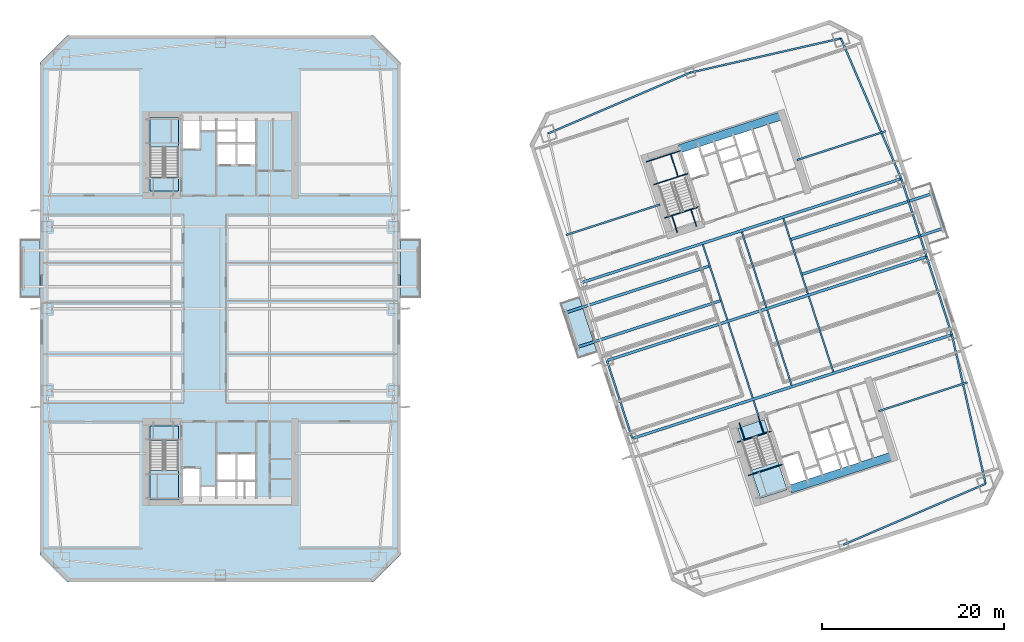
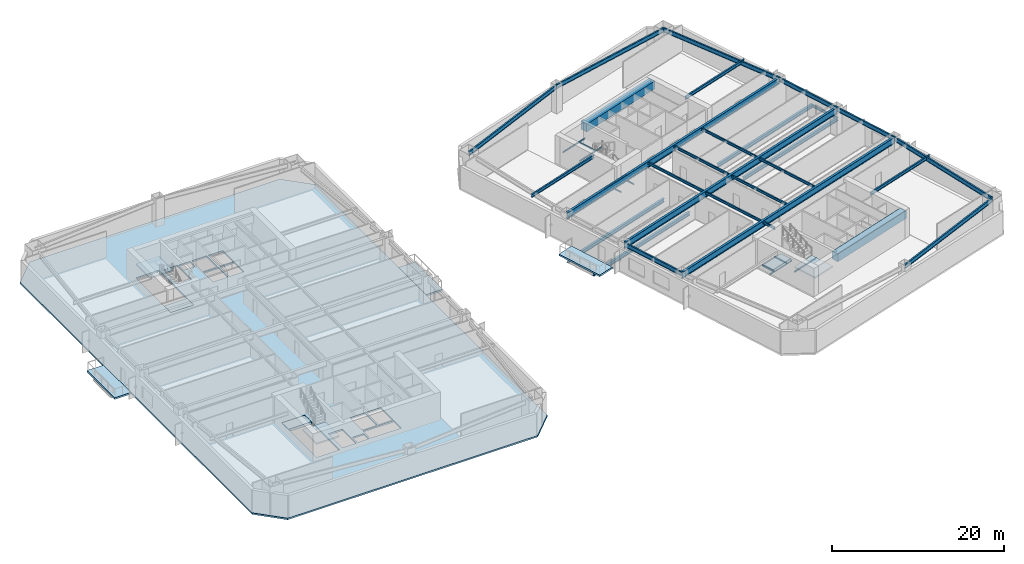
# One storey, part 2 of 21: 38 beams, 10 slabs, 3 elements without a shape of their own.
"""IFC4 building model written with IfcOpenShell, lengths in metres."""

from ifc_helpers import new_model, si_unit, direction, frame, origin, origin_2d, place, context, subcontext, project, spatial, polyline, rectangle, i_section, outline, extrude, material, layer, layer_set, material_profile, profile_set, type_object, element, aggregate, save


model = new_model("IFC4")

# Units and contexts
model_context = context("Model", 3, precision=1e-05, world=origin(), true_north=direction((0.0, 1.0)))
body_context = subcontext(model_context, "Body", "Model", "MODEL_VIEW")
ifc_project = project(units=[si_unit("LENGTHUNIT", "METRE"), si_unit("AREAUNIT", "SQUARE_METRE"), si_unit("VOLUMEUNIT", "CUBIC_METRE"), si_unit("PLANEANGLEUNIT", "RADIAN"), si_unit("MASSUNIT", "GRAM", prefix="KILO")], contexts=[model_context])

# Site, building, storey
site_placement = place(None, origin())
site = spatial("IfcSite", under=ifc_project, at=site_placement, CompositionType="ELEMENT")
building_placement = place(site_placement, origin())
building = spatial("IfcBuilding", under=site, at=building_placement, Name="Qiaolan Cultural Towers", CompositionType="ELEMENT")
storey_placement = place(building_placement, frame((0.0, 0.0, 34.0)))
storey = spatial("IfcBuildingStorey", under=building, at=storey_placement, Name="L07", CompositionType="ELEMENT", Elevation=34.0)

# Beams
ifc_material_1 = material(Name="Steel Q355B", Category="steel")
ifc_material_profile_1 = material_profile(ifc_material_1, i_section(OverallWidth=0.300048828125, OverallDepth=0.488037109375, WebThickness=0.010986328125, FlangeThickness=0.01806640625, at=origin_2d()), Name="HM488x300x11x18")
ifc_profile_set_1 = profile_set([ifc_material_profile_1], Name="Steel Q355B")
beam_type_1 = type_object("IfcBeamType", Name="BM-HM488x300x11x18", PredefinedType="BEAM", material=ifc_profile_set_1)
for number, where, z_axis, x_axis, name in (
    (1, (84.978515625, 34.891845703125, -0.52392578125), (-0.951056559899, -0.309016860175, 0.0), (0.309016860175, -0.951056559899, 0.0), "L07 T2 Tree Balcony Back-Spanned Bracket Beam"),
    (2, (83.742431640625, 38.6962890625, -0.52392578125), (-0.951056559899, -0.309016860175, 0.0), (0.309016860175, -0.951056559899, 0.0), "L07 T2 Tree Balcony Back-Spanned Bracket Beam"),
):
    element("IfcBeam", number, at=place(storey_placement, frame(where, z_axis=z_axis, x_axis=x_axis)), inside=storey, type_object=beam_type_1, Name=name, PredefinedType="BEAM", context=body_context, shape_type="SweptSolid", body=[
        extrude(i_section(OverallWidth=0.300048828125, OverallDepth=0.488037109375, WebThickness=0.010986328125, FlangeThickness=0.01806640625, at=origin_2d()), origin(), (0.0, 0.0, 1.0), 16.75),
    ])
for number, where, z_axis, x_axis, name in (
    (3, (93.823486328125, 37.765869140625, -0.52392578125), (0.951057297292, 0.309014590704, 0.0), (-0.309014590704, 0.951057297292, 0.0), "L07 T2 Tree Balcony Back-Spanned Bracket Beam"),
    (4, (92.58740234375, 41.570068359375, -0.52392578125), (0.951057297292, 0.309014590704, 0.0), (-0.309014590704, 0.951057297292, 0.0), "L07 T2 Tree Balcony Back-Spanned Bracket Beam"),
):
    element("IfcBeam", number, at=place(storey_placement, frame(where, z_axis=z_axis, x_axis=x_axis)), inside=storey, type_object=beam_type_1, Name=name, PredefinedType="BEAM", context=body_context, shape_type="SweptSolid", body=[
        extrude(i_section(OverallWidth=0.300048828125, OverallDepth=0.488037109375, WebThickness=0.010986328125, FlangeThickness=0.01806640625, at=origin_2d()), origin(), (0.0, 0.0, 1.0), 16.449951171875),
    ])
ifc_material_2 = material(Name="Steel Q355B", Category="steel")
ifc_material_profile_2 = material_profile(ifc_material_2, i_section(OverallWidth=0.300048828125, OverallDepth=0.89990234375, WebThickness=0.01611328125, FlangeThickness=0.028076171875, at=origin_2d()), Name="HN900x300x16x28")
ifc_profile_set_2 = profile_set([ifc_material_profile_2], Name="Steel Q355B")
beam_type_2 = type_object("IfcBeamType", Name="BM-HN900x300x16x28", PredefinedType="BEAM", material=ifc_profile_set_2)
beam_1_placement = place(storey_placement, frame((75.234130859375, 19.739013671875, 3.2900390625), z_axis=(0.951055702987, 0.309019497469, 0.0), x_axis=(-0.309019497469, 0.951055702987, 0.0)))
element("IfcBeam", 5, at=beam_1_placement, inside=storey, type_object=beam_type_2, Name="L07 T2 Primary Transverse Girder V1", PredefinedType="BEAM", context=body_context, shape_type="SweptSolid", body=[
    extrude(i_section(OverallWidth=0.300048828125, OverallDepth=0.89990234375, WebThickness=0.01611328125, FlangeThickness=0.028076171875, at=origin_2d()), origin(), (0.0, 0.0, 1.0), 36.900146484375),
])
beam_2_placement = place(storey_placement, frame((72.453125, 28.298583984375, 3.2900390625), z_axis=(0.951055071173, 0.309021441968, 0.0), x_axis=(-0.309021441968, 0.951055071173, 0.0)))
element("IfcBeam", 6, at=beam_2_placement, inside=storey, type_object=beam_type_2, Name="L07 T2 Primary Transverse Girder V2", PredefinedType="BEAM", context=body_context, shape_type="SweptSolid", body=[
    extrude(i_section(OverallWidth=0.300048828125, OverallDepth=0.89990234375, WebThickness=0.01611328125, FlangeThickness=0.028076171875, at=origin_2d()), origin(), (0.0, 0.0, 1.0), 36.89990234375),
])
beam_3_placement = place(storey_placement, frame((69.671875, 36.858154296875, 3.2900390625), z_axis=(0.951055702987, 0.309019497469, 0.0), x_axis=(-0.309019497469, 0.951055702987, 0.0)))
element("IfcBeam", 7, at=beam_3_placement, inside=storey, type_object=beam_type_2, Name="L07 T2 Primary Transverse Girder V3", PredefinedType="BEAM", context=body_context, shape_type="SweptSolid", body=[
    extrude(i_section(OverallWidth=0.300048828125, OverallDepth=0.89990234375, WebThickness=0.01611328125, FlangeThickness=0.028076171875, at=origin_2d()), origin(), (0.0, 0.0, 1.0), 36.900146484375),
])
ifc_material_3 = material(Name="Steel Q355B", Category="steel")
ifc_material_profile_3 = material_profile(ifc_material_3, i_section(OverallWidth=0.175048828125, OverallDepth=0.35009765625, WebThickness=0.007080078125, FlangeThickness=0.010986328125, at=origin_2d()), Name="HN350x175x7x11")
ifc_profile_set_3 = profile_set([ifc_material_profile_3], Name="Steel Q355B")
beam_type_3 = type_object("IfcBeamType", Name="BM-JST-HN350x175x7x11", PredefinedType="JOIST", material=ifc_profile_set_3)
beam_4_placement = place(storey_placement, frame((109.46826171875, 42.84912109375, -0.52392578125), z_axis=(-0.309022586479, 0.951054699292, 0.0), x_axis=(-0.951054699292, -0.309022586479, 0.0)))
element("IfcBeam", 8, at=beam_4_placement, inside=storey, type_object=beam_type_3, Name="L07 T2 Tree Balcony Outer Edge Beam", PredefinedType="JOIST", context=body_context, shape_type="SweptSolid", body=[
    extrude(i_section(OverallWidth=0.175048828125, OverallDepth=0.35009765625, WebThickness=0.007080078125, FlangeThickness=0.010986328125, at=origin_2d()), origin(), (0.0, 0.0, 1.0), 4.0),
])
beam_5_placement = place(storey_placement, frame((89.119384765625, 22.147705078125, 3.56494140625), z_axis=(-0.308933885266, 0.951083516067, 0.0), x_axis=(-0.951083516067, -0.308933885266, 0.0)))
element("IfcBeam", 9, at=beam_5_placement, inside=storey, type_object=beam_type_3, Name="L07 T2 Secondary Floor Joist U1-1", PredefinedType="JOIST", context=body_context, shape_type="SweptSolid", body=[
    extrude(i_section(OverallWidth=0.175048828125, OverallDepth=0.35009765625, WebThickness=0.007080078125, FlangeThickness=0.010986328125, at=origin_2d()), origin(), (0.0, 0.0, 1.0), 1.85009765625),
])
for number, where, z_axis, x_axis, name in (
    (10, (88.455078125, 24.192626953125, 3.56494140625), (-0.309020714809, 0.951055307445, 0.0), (-0.951055307445, -0.309020714809, 0.0), "L07 T2 Secondary Floor Joist U1-2"),
    (11, (85.673828125, 32.752197265625, 3.56494140625), (-0.309020714809, 0.951055307445, 0.0), (-0.951055307445, -0.309020714809, 0.0), "L07 T2 Secondary Floor Joist U1-3"),
    (12, (92.73486328125, 25.583251953125, 3.56494140625), (-0.309020714809, 0.951055307445, 0.0), (-0.951055307445, -0.309020714809, 0.0), "L07 T2 Secondary Floor Joist U2-2"),
    (13, (89.95361328125, 34.142578125, 3.56494140625), (-0.309020714809, 0.951055307445, 0.0), (-0.951055307445, -0.309020714809, 0.0), "L07 T2 Secondary Floor Joist U2-3"),
    (14, (97.2998046875, 27.06640625, 3.56494140625), (-0.309020714809, 0.951055307445, 0.0), (-0.951055307445, -0.309020714809, 0.0), "L07 T2 Secondary Floor Joist U3-2"),
    (15, (94.518798828125, 35.6259765625, 3.56494140625), (-0.309020714809, 0.951055307445, 0.0), (-0.951055307445, -0.309020714809, 0.0), "L07 T2 Secondary Floor Joist U3-3"),
):
    element("IfcBeam", number, at=place(storey_placement, frame(where, z_axis=z_axis, x_axis=x_axis)), inside=storey, type_object=beam_type_3, Name=name, PredefinedType="JOIST", context=body_context, shape_type="SweptSolid", body=[
        extrude(i_section(OverallWidth=0.175048828125, OverallDepth=0.35009765625, WebThickness=0.007080078125, FlangeThickness=0.010986328125, at=origin_2d()), origin(), (0.0, 0.0, 1.0), 8.699951171875),
    ])
ifc_material_4 = material(Name="Steel Q355B", Category="steel")
ifc_material_profile_4 = material_profile(ifc_material_4, i_section(OverallWidth=0.199951171875, OverallDepth=0.449951171875, WebThickness=0.009033203125, FlangeThickness=0.013916015625, at=origin_2d()), Name="HN450x200x9x14")
ifc_profile_set_4 = profile_set([ifc_material_profile_4], Name="Steel Q355B")
beam_type_4 = type_object("IfcBeamType", Name="BM-LNT-HN450x200x9x14", PredefinedType="LINTEL", material=ifc_profile_set_4)
beam_6_placement = place(storey_placement, frame((78.291259765625, 45.44189453125, 3.514892578125), z_axis=(-0.951052421511, -0.309029596542, 0.0), x_axis=(0.309029596542, -0.951052421511, 0.0)))
element("IfcBeam", 16, at=beam_6_placement, inside=storey, type_object=beam_type_4, Name="L07 T2 Core Flank Tie Lintel WN", PredefinedType="LINTEL", context=body_context, shape_type="SweptSolid", body=[
    extrude(i_section(OverallWidth=0.199951171875, OverallDepth=0.449951171875, WebThickness=0.009033203125, FlangeThickness=0.013916015625, at=origin_2d()), origin(), (0.0, 0.0, 1.0), 10.85009765625),
])
beam_7_placement = place(storey_placement, frame((102.279296875, 22.74365234375, 3.514892578125), z_axis=(0.951056820587, 0.309016057859, 0.0), x_axis=(-0.309016057859, 0.951056820587, 0.0)))
element("IfcBeam", 17, at=beam_7_placement, inside=storey, type_object=beam_type_4, Name="L07 T2 Core Flank Tie Lintel ES", PredefinedType="LINTEL", context=body_context, shape_type="SweptSolid", body=[
    extrude(i_section(OverallWidth=0.199951171875, OverallDepth=0.449951171875, WebThickness=0.009033203125, FlangeThickness=0.013916015625, at=origin_2d()), origin(), (0.0, 0.0, 1.0), 10.250244140625),
])
beam_8_placement = place(storey_placement, frame((93.31787109375, 50.32421875, 3.514892578125), z_axis=(0.951054546097, 0.309023057955, 0.0), x_axis=(-0.309023057955, 0.951054546097, 0.0)))
element("IfcBeam", 18, at=beam_8_placement, inside=storey, type_object=beam_type_4, Name="L07 T2 Core Flank Tie Lintel EN", PredefinedType="LINTEL", context=body_context, shape_type="SweptSolid", body=[
    extrude(i_section(OverallWidth=0.199951171875, OverallDepth=0.449951171875, WebThickness=0.009033203125, FlangeThickness=0.013916015625, at=origin_2d()), origin(), (0.0, 0.0, 1.0), 10.25),
])
ifc_material_5 = material(Name="Concrete C50", Category="concrete")
ifc_material_profile_5 = material_profile(ifc_material_5, rectangle(XDim=0.89990234375, YDim=1.10009765625, at=origin_2d()), Name="RC900x1100")
ifc_profile_set_5 = profile_set([ifc_material_profile_5], Name="Concrete C50")
beam_type_5 = type_object("IfcBeamType", Name="BM-RC900x1100", PredefinedType="BEAM", material=ifc_profile_set_5)
for number, where, z_axis, x_axis, name in (
    (19, (92.572265625, 14.174560546875, 3.18994140625), (0.951056266386, 0.309017763514, 0.0), (-0.309017763514, 0.951056266386, 0.0), "L07 T2 Core Header Girder S"),
    (20, (80.427978515625, 51.551025390625, 3.18994140625), (0.951056266386, 0.309017763514, 0.0), (-0.309017763514, 0.951056266386, 0.0), "L07 T2 Core Header Girder N"),
):
    element("IfcBeam", number, at=place(storey_placement, frame(where, z_axis=z_axis, x_axis=x_axis)), inside=storey, type_object=beam_type_5, Name=name, PredefinedType="BEAM", context=body_context, shape_type="SweptSolid", body=[
        extrude(rectangle(XDim=0.89990234375, YDim=1.10009765625, at=origin_2d()), origin(), (0.0, 0.0, 1.0), 11.880126953125),
    ])
ifc_material_6 = material(Name="Steel Q355B", Category="steel")
ifc_material_profile_6 = material_profile(ifc_material_6, i_section(OverallWidth=0.199951171875, OverallDepth=0.60009765625, WebThickness=0.010986328125, FlangeThickness=0.01708984375, at=origin_2d()), Name="HN600x200x11x17")
ifc_profile_set_6 = profile_set([ifc_material_profile_6], Name="Steel Q355B")
beam_type_6 = type_object("IfcBeamType", Name="BM-SPD-HN600x200x11x17", PredefinedType="SPANDREL", material=ifc_profile_set_6)
beam_9_placement = place(storey_placement, frame((98.420654296875, 8.083740234375, 3.43994140625), z_axis=(0.919108584923, 0.394004326272, 0.0), x_axis=(-0.394004326272, 0.919108584923, 0.0)))
element("IfcBeam", 21, at=beam_9_placement, inside=storey, type_object=beam_type_6, Name="L07 T2 Perimeter Spandrel Beam 2", PredefinedType="SPANDREL", context=body_context, shape_type="SweptSolid", body=[
    extrude(i_section(OverallWidth=0.199951171875, OverallDepth=0.60009765625, WebThickness=0.010986328125, FlangeThickness=0.01708984375, at=origin_2d()), origin(), (0.0, 0.0, 1.0), 16.97998046875),
])
beam_10_placement = place(storey_placement, frame((114.027099609375, 14.77392578125, 3.43994140625), z_axis=(-0.220430557386, 0.975402670373, 0.0), x_axis=(-0.975402670373, -0.220430557386, 0.0)))
element("IfcBeam", 22, at=beam_10_placement, inside=storey, type_object=beam_type_6, Name="L07 T2 Perimeter Spandrel Beam 3", PredefinedType="SPANDREL", context=body_context, shape_type="SweptSolid", body=[
    extrude(i_section(OverallWidth=0.199951171875, OverallDepth=0.60009765625, WebThickness=0.010986328125, FlangeThickness=0.01708984375, at=origin_2d()), origin(), (0.0, 0.0, 1.0), 16.78076171875),
])
for number, where, z_axis, x_axis, name in (
    (23, (110.328125, 31.141845703125, 3.43994140625), (-0.309024734286, 0.951054001411, 0.0), (-0.951054001411, -0.309024734286, 0.0), "L07 T2 Perimeter Spandrel Beam 4"),
    (24, (107.546875, 39.701416015625, 3.43994140625), (-0.309000197986, 0.951061973609, 0.0), (-0.951061973609, -0.309000197986, 0.0), "L07 T2 Perimeter Spandrel Beam 5"),
):
    element("IfcBeam", number, at=place(storey_placement, frame(where, z_axis=z_axis, x_axis=x_axis)), inside=storey, type_object=beam_type_6, Name=name, PredefinedType="SPANDREL", context=body_context, shape_type="SweptSolid", body=[
        extrude(i_section(OverallWidth=0.199951171875, OverallDepth=0.60009765625, WebThickness=0.010986328125, FlangeThickness=0.01708984375, at=origin_2d()), origin(), (0.0, 0.0, 1.0), 9.0),
    ])
beam_11_placement = place(storey_placement, frame((104.765869140625, 48.260986328125, 3.43994140625), z_axis=(-0.394998896054, 0.918681594524, 0.0), x_axis=(-0.918681594524, -0.394998896054, 0.0)))
element("IfcBeam", 25, at=beam_11_placement, inside=storey, type_object=beam_type_6, Name="L07 T2 Perimeter Spandrel Beam 6", PredefinedType="SPANDREL", context=body_context, shape_type="SweptSolid", body=[
    extrude(i_section(OverallWidth=0.199951171875, OverallDepth=0.60009765625, WebThickness=0.010986328125, FlangeThickness=0.01708984375, at=origin_2d()), origin(), (0.0, 0.0, 1.0), 16.78076171875),
])
for number, where, z_axis, x_axis, name in (
    (26, (98.137451171875, 63.67724609375, 3.43994140625), (-0.975161095889, -0.221496810506, 0.0), (0.221496810506, -0.975161095889, 0.0), "L07 T2 Perimeter Spandrel Beam 7"),
    (27, (81.579345703125, 59.916259765625, 3.43994140625), (-0.919108584923, -0.394004326272, 0.0), (0.394004326272, -0.919108584923, 0.0), "L07 T2 Perimeter Spandrel Beam 8"),
):
    element("IfcBeam", number, at=place(storey_placement, frame(where, z_axis=z_axis, x_axis=x_axis)), inside=storey, type_object=beam_type_6, Name=name, PredefinedType="SPANDREL", context=body_context, shape_type="SweptSolid", body=[
        extrude(i_section(OverallWidth=0.199951171875, OverallDepth=0.60009765625, WebThickness=0.010986328125, FlangeThickness=0.01708984375, at=origin_2d()), origin(), (0.0, 0.0, 1.0), 16.97998046875),
    ])
beam_12_placement = place(storey_placement, frame((72.453125, 28.298583984375, 3.43994140625), z_axis=(0.309000197986, -0.951061973609, 0.0), x_axis=(0.951061973609, 0.309000197986, 0.0)))
element("IfcBeam", 28, at=beam_12_placement, inside=storey, type_object=beam_type_6, Name="L07 T2 Perimeter Spandrel Beam 11", PredefinedType="SPANDREL", context=body_context, shape_type="SweptSolid", body=[
    extrude(i_section(OverallWidth=0.199951171875, OverallDepth=0.60009765625, WebThickness=0.010986328125, FlangeThickness=0.01708984375, at=origin_2d()), origin(), (0.0, 0.0, 1.0), 9.0),
])
ifc_material_7 = material(Name="Steel Q355B", Category="steel")
ifc_material_profile_7 = material_profile(ifc_material_7, i_section(OverallWidth=0.10009765625, OverallDepth=0.199951171875, WebThickness=0.005615234375, FlangeThickness=0.008056640625, at=origin_2d()), Name="HN200x100x5.5x8")
ifc_profile_set_7 = profile_set([ifc_material_profile_7], Name="Steel Q355B")
beam_type_7 = type_object("IfcBeamType", Name="BM-STTRIM-200", PredefinedType="BEAM", material=ifc_profile_set_7)
beam_13_placement = place(storey_placement, frame((86.770751953125, 19.3447265625, -0.4599609375), z_axis=(0.951047798727, 0.309043823005, 0.0), x_axis=(-0.309043823005, 0.951047798727, 0.0)))
element("IfcBeam", 29, at=beam_13_placement, inside=storey, type_object=beam_type_7, Name="L07 ST-E1 Floor Landing Header Beam", PredefinedType="BEAM", context=body_context, shape_type="SweptSolid", body=[
    extrude(i_section(OverallWidth=0.10009765625, OverallDepth=0.199951171875, WebThickness=0.005615234375, FlangeThickness=0.008056640625, at=origin_2d()), origin(), (0.0, 0.0, 1.0), 3.919921875),
])
for number, where, z_axis, x_axis, name in (
    (30, (86.9794921875, 21.452392578125, -0.4599609375), (0.309083226701, -0.951034993558, 0.0), (0.951034993558, 0.309083226701, 0.0), "L07 ST-E1 Floor Landing Stringer 1"),
    (31, (89.07177734375, 22.13232421875, -0.4599609375), (0.309083226701, -0.951034993558, 0.0), (0.951034993558, 0.309083226701, 0.0), "L07 ST-E1 Floor Landing Stringer 2"),
):
    element("IfcBeam", number, at=place(storey_placement, frame(where, z_axis=z_axis, x_axis=x_axis)), inside=storey, type_object=beam_type_7, Name=name, PredefinedType="BEAM", context=body_context, shape_type="SweptSolid", body=[
        extrude(i_section(OverallWidth=0.10009765625, OverallDepth=0.199951171875, WebThickness=0.005615234375, FlangeThickness=0.008056640625, at=origin_2d()), origin(), (0.0, 0.0, 1.0), 1.93994140625),
    ])
beam_14_placement = place(storey_placement, frame((87.9599609375, 15.6845703125, 1.699951171875), z_axis=(0.951066103084, 0.308987487715, 0.0), x_axis=(-0.308987487715, 0.951066103084, 0.0)))
element("IfcBeam", 32, at=beam_14_placement, inside=storey, type_object=beam_type_7, Name="L07 ST-E1 Stair Landing Support Beam 1-1", PredefinedType="BEAM", context=body_context, shape_type="SweptSolid", body=[
    extrude(i_section(OverallWidth=0.10009765625, OverallDepth=0.199951171875, WebThickness=0.005615234375, FlangeThickness=0.008056640625, at=origin_2d()), origin(), (0.0, 0.0, 1.0), 3.919921875),
])
beam_15_placement = place(storey_placement, frame((78.773193359375, 43.958251953125, -0.4599609375), z_axis=(0.951072048947, 0.3089691857, 0.0), x_axis=(-0.3089691857, 0.951072048947, 0.0)))
element("IfcBeam", 33, at=beam_15_placement, inside=storey, type_object=beam_type_7, Name="L07 ST-E2 Floor Landing Header Beam", PredefinedType="BEAM", context=body_context, shape_type="SweptSolid", body=[
    extrude(i_section(OverallWidth=0.10009765625, OverallDepth=0.199951171875, WebThickness=0.005615234375, FlangeThickness=0.008056640625, at=origin_2d()), origin(), (0.0, 0.0, 1.0), 3.920166015625),
])
for number, where, z_axis, x_axis, name in (
    (34, (80.18115234375, 42.375732421875, -0.4599609375), (-0.308969394428, 0.951071981138, 0.0), (-0.951071981138, -0.308969394428, 0.0), "L07 ST-E2 Floor Landing Stringer 1"),
    (35, (82.2734375, 43.0556640625, -0.4599609375), (-0.308969394428, 0.951071981138, 0.0), (-0.951071981138, -0.308969394428, 0.0), "L07 ST-E2 Floor Landing Stringer 2"),
):
    element("IfcBeam", number, at=place(storey_placement, frame(where, z_axis=z_axis, x_axis=x_axis)), inside=storey, type_object=beam_type_7, Name=name, PredefinedType="BEAM", context=body_context, shape_type="SweptSolid", body=[
        extrude(i_section(OverallWidth=0.10009765625, OverallDepth=0.199951171875, WebThickness=0.005615234375, FlangeThickness=0.008056640625, at=origin_2d()), origin(), (0.0, 0.0, 1.0), 1.93994140625),
    ])
beam_16_placement = place(storey_placement, frame((77.583984375, 47.618408203125, 1.699951171875), z_axis=(0.951047798727, 0.309043823005, 0.0), x_axis=(-0.309043823005, 0.951047798727, 0.0)))
element("IfcBeam", 36, at=beam_16_placement, inside=storey, type_object=beam_type_7, Name="L07 ST-E2 Stair Landing Support Beam 1-1", PredefinedType="BEAM", context=body_context, shape_type="SweptSolid", body=[
    extrude(i_section(OverallWidth=0.10009765625, OverallDepth=0.199951171875, WebThickness=0.005615234375, FlangeThickness=0.008056640625, at=origin_2d()), origin(), (0.0, 0.0, 1.0), 3.919921875),
])
beam_17_placement = place(storey_placement, frame((76.770751953125, 50.12109375, 1.699951171875), z_axis=(0.951072048947, 0.3089691857, 0.0), x_axis=(-0.3089691857, 0.951072048947, 0.0)))
element("IfcBeam", 37, at=beam_17_placement, inside=storey, type_object=beam_type_7, Name="L07 ST-E2 Stair Landing Support Beam 1-2", PredefinedType="BEAM", context=body_context, shape_type="SweptSolid", body=[
    extrude(i_section(OverallWidth=0.10009765625, OverallDepth=0.199951171875, WebThickness=0.005615234375, FlangeThickness=0.008056640625, at=origin_2d()), origin(), (0.0, 0.0, 1.0), 3.920166015625),
])
beam_18_placement = place(storey_placement, frame((80.25634765625, 48.48681640625, 1.699951171875), z_axis=(-0.308981166967, 0.95106815658, 0.0), x_axis=(-0.95106815658, -0.308981166967, 0.0)))
element("IfcBeam", 38, at=beam_18_placement, inside=storey, type_object=beam_type_7, Name="L07 ST-E2 Stair Landing Trimmer 1", PredefinedType="BEAM", context=body_context, shape_type="SweptSolid", body=[
    extrude(i_section(OverallWidth=0.10009765625, OverallDepth=0.199951171875, WebThickness=0.005615234375, FlangeThickness=0.008056640625, at=origin_2d()), origin(), (0.0, 0.0, 1.0), 2.631103515625),
])

# Slabs
ifc_material_8 = material(Name="Concrete C45", Category="concrete")
ifc_layer_1 = layer(ifc_material_8, 0.239990234375)
ifc_layer_set_1 = layer_set([ifc_layer_1], Name="Concrete C45")
slab_type_1 = type_object("IfcSlabType", Name="SL-BAL-240", PredefinedType="FLOOR", material=ifc_layer_set_1)
slab_1_placement = place(storey_placement, frame((0.0, 0.0, -0.239990234375)))
element("IfcSlab", 39, at=slab_1_placement, inside=storey, type_object=slab_type_1, Name="L07 T1 Planted Tree Balcony W", PredefinedType="FLOOR", context=body_context, shape_type="SweptSolid", body=[
    extrude(outline(polyline([(8.0, 35.199951171875), (10.199951171875, 35.199951171875), (10.199951171875, 41.60009765625), (8.0, 41.60009765625), (8.0, 35.199951171875)])), origin(), (0.0, 0.0, 1.0), 0.239990234375),
])
slab_2_placement = place(storey_placement, frame((0.0, 0.0, -0.239990234375)))
element("IfcSlab", 40, at=slab_2_placement, inside=storey, type_object=slab_type_1, Name="L07 T1 Planted Tree Balcony E", PredefinedType="FLOOR", context=body_context, shape_type="SweptSolid", body=[
    extrude(outline(polyline([(49.800048828125, 35.199951171875), (52.0, 35.199951171875), (52.0, 41.60009765625), (49.800048828125, 41.60009765625), (49.800048828125, 35.199951171875)])), origin(), (0.0, 0.0, 1.0), 0.239990234375),
])
slab_3_placement = place(storey_placement, frame((0.0, 0.0, -0.239990234375)))
element("IfcSlab", 41, at=slab_3_placement, inside=storey, type_object=slab_type_1, Name="L07 T2 Planted Tree Balcony W", PredefinedType="FLOOR", context=body_context, shape_type="SweptSolid", body=[
    extrude(outline(polyline([(69.276611328125, 28.5283203125), (71.368896484375, 29.208251953125), (69.39111328125, 35.294921875), (67.298828125, 34.614990234375), (69.276611328125, 28.5283203125)])), origin(), (0.0, 0.0, 1.0), 0.239990234375),
])

# Stair, slab
ifc_material_9 = material(Name="Concrete C45", Category="concrete")
stair_type = type_object("IfcStairType", Name="STR-CORE-1500", PredefinedType="HALF_TURN_STAIR", material=ifc_material_9)
stair_1_placement = place(storey_placement, origin())
stair_1 = element("IfcStair", 42, at=stair_1_placement, inside=storey, type_object=stair_type, Name="L07 Smokeproof Exit Stair ST-W1", PredefinedType="HALF_TURN_STAIR")
ifc_material_10 = material(Name="Concrete C45", Category="concrete")
ifc_layer_2 = layer(ifc_material_10, 0.199951171875)
ifc_layer_set_2 = layer_set([ifc_layer_2], Name="Concrete C45")
slab_type_2 = type_object("IfcSlabType", Name="SL-STAIR-LAND", PredefinedType="LANDING", material=ifc_layer_set_2)
slab_4_placement = place(storey_placement, frame((0.0, 0.0, 1.800048828125)))
slab_4 = element("IfcSlab", 43, at=slab_4_placement, type_object=slab_type_2, Name="ST-W1 landing 1", PredefinedType="LANDING", context=body_context, shape_type="SweptSolid", body=[
    extrude(outline(polyline([(22.300048828125, 16.251220703125), (22.300048828125, 13.0), (25.3798828125, 13.0), (25.3798828125, 16.251220703125), (22.300048828125, 16.251220703125)])), origin(), (0.0, 0.0, 1.0), 0.199951171875),
])
aggregate(stair_1, [slab_4])

stair_2_placement = place(storey_placement, origin())
stair_2 = element("IfcStair", 44, at=stair_2_placement, inside=storey, type_object=stair_type, Name="L07 Smokeproof Exit Stair ST-W2", PredefinedType="HALF_TURN_STAIR")
slab_5_placement = place(storey_placement, frame((0.0, 0.0, 1.800048828125)))
slab_5 = element("IfcSlab", 45, at=slab_5_placement, type_object=slab_type_2, Name="ST-W2 landing 1", PredefinedType="LANDING", context=body_context, shape_type="SweptSolid", body=[
    extrude(outline(polyline([(25.3798828125, 51.748779296875), (25.3798828125, 55.0), (22.300048828125, 55.0), (22.300048828125, 51.748779296875), (25.3798828125, 51.748779296875)])), origin(), (0.0, 0.0, 1.0), 0.199951171875),
])
aggregate(stair_2, [slab_5])

stair_3_placement = place(storey_placement, origin())
stair_3 = element("IfcStair", 46, at=stair_3_placement, inside=storey, type_object=stair_type, Name="L07 Smokeproof Exit Stair ST-E1", PredefinedType="HALF_TURN_STAIR")
slab_6_placement = place(storey_placement, frame((0.0, 0.0, 1.800048828125)))
slab_6 = element("IfcSlab", 47, at=slab_6_placement, type_object=slab_type_2, Name="ST-E1 landing 1", PredefinedType="LANDING", context=body_context, shape_type="SweptSolid", body=[
    extrude(outline(polyline([(88.299560546875, 16.25732421875), (89.30419921875, 13.165283203125), (92.2333984375, 14.116943359375), (91.228759765625, 17.209228515625), (88.299560546875, 16.25732421875)])), origin(), (0.0, 0.0, 1.0), 0.199951171875),
])
aggregate(stair_3, [slab_6])

# Slabs
ifc_material_11 = material(Name="Concrete C40", Category="concrete")
ifc_layer_3 = layer(ifc_material_11, 0.360107421875)
ifc_layer_set_3 = layer_set([ifc_layer_3], Name="Concrete C40")
slab_type_3 = type_object("IfcSlabType", Name="SL-STFLR-360", PredefinedType="LANDING", material=ifc_layer_set_3)
slab_7_placement = place(storey_placement, frame((0.0, 0.0, -0.360107421875)))
element("IfcSlab", 48, at=slab_7_placement, inside=storey, type_object=slab_type_3, Name="L07 ST-W1 Stair Floor Landing Slab", PredefinedType="LANDING", context=body_context, shape_type="SweptSolid", body=[
    extrude(outline(polyline([(22.302001953125, 21.097900390625), (22.302001953125, 19.548583984375), (25.3779296875, 19.548583984375), (25.3779296875, 21.097900390625), (22.302001953125, 21.097900390625)])), origin(), (0.0, 0.0, 1.0), 0.360107421875),
])
slab_8_placement = place(storey_placement, frame((0.0, 0.0, -0.360107421875)))
element("IfcSlab", 49, at=slab_8_placement, inside=storey, type_object=slab_type_3, Name="L07 ST-W2 Stair Floor Landing Slab", PredefinedType="LANDING", context=body_context, shape_type="SweptSolid", body=[
    extrude(outline(polyline([(25.3779296875, 46.902099609375), (25.3779296875, 48.451416015625), (22.302001953125, 48.451416015625), (22.302001953125, 46.902099609375), (25.3779296875, 46.902099609375)])), origin(), (0.0, 0.0, 1.0), 0.360107421875),
])
slab_9_placement = place(storey_placement, frame((0.0, 0.0, -0.360107421875)))
element("IfcSlab", 50, at=slab_9_placement, inside=storey, type_object=slab_type_3, Name="L07 ST-E1 Stair Floor Landing Slab", PredefinedType="LANDING", context=body_context, shape_type="SweptSolid", body=[
    extrude(outline(polyline([(86.8037109375, 20.867431640625), (87.282470703125, 19.39404296875), (90.2080078125, 20.3447265625), (89.729248046875, 21.818115234375), (86.8037109375, 20.867431640625)])), origin(), (0.0, 0.0, 1.0), 0.360107421875),
])
ifc_material_12 = material(Name="Concrete C45", Category="concrete")
ifc_layer_4 = layer(ifc_material_12, 0.219970703125)
ifc_layer_set_4 = layer_set([ifc_layer_4], Name="Concrete C45")
slab_type_4 = type_object("IfcSlabType", Name="SL-TYP-220", PredefinedType="FLOOR", material=ifc_layer_set_4)
slab_10_placement = place(storey_placement, frame((0.0, 0.0, -0.219970703125)))
element("IfcSlab", 51, at=slab_10_placement, inside=storey, type_object=slab_type_4, Name="L07 West Tower Floor Slab", PredefinedType="FLOOR", context=body_context, shape_type="SweptSolid", body=[
    extrude(outline(polyline([(13.199951171875, 4.0), (46.800048828125, 4.0), (49.800048828125, 7.0), (49.800048828125, 61.0), (46.800048828125, 64.0), (13.199951171875, 64.0), (10.199951171875, 61.0), (10.199951171875, 7.0), (13.199951171875, 4.0)]), holes=[polyline([(22.300048828125, 21.10009765625), (22.300048828125, 13.0), (25.3798828125, 13.0), (25.3798828125, 21.10009765625), (22.300048828125, 21.10009765625)]), polyline([(25.3798828125, 46.89990234375), (25.3798828125, 55.0), (22.300048828125, 55.0), (22.300048828125, 46.89990234375), (25.3798828125, 46.89990234375)]), polyline([(25.89990234375, 13.199951171875), (27.75, 13.199951171875), (27.75, 16.449951171875), (25.89990234375, 16.449951171875), (25.89990234375, 13.199951171875)]), polyline([(27.93994140625, 13.25), (29.449951171875, 13.25), (29.449951171875, 14.419921875), (27.93994140625, 14.419921875), (27.93994140625, 13.25)]), polyline([(29.679931640625, 15.199951171875), (31.679931640625, 15.199951171875), (31.679931640625, 18.0), (29.679931640625, 18.0), (29.679931640625, 15.199951171875)]), polyline([(31.8798828125, 15.199951171875), (33.820068359375, 15.199951171875), (33.820068359375, 18.0), (31.8798828125, 18.0), (31.8798828125, 15.199951171875)]), polyline([(29.679931640625, 13.25), (33.820068359375, 13.25), (33.820068359375, 14.97998046875), (29.679931640625, 14.97998046875), (29.679931640625, 13.25)]), polyline([(25.89990234375, 51.550048828125), (27.75, 51.550048828125), (27.75, 54.800048828125), (25.89990234375, 54.800048828125), (25.89990234375, 51.550048828125)]), polyline([(27.93994140625, 53.580078125), (29.449951171875, 53.580078125), (29.449951171875, 54.75), (27.93994140625, 54.75), (27.93994140625, 53.580078125)]), polyline([(29.679931640625, 49.820068359375), (31.679931640625, 49.820068359375), (31.679931640625, 52.080078125), (29.679931640625, 52.080078125), (29.679931640625, 49.820068359375)]), polyline([(31.8798828125, 49.820068359375), (33.820068359375, 49.820068359375), (33.820068359375, 52.080078125), (31.8798828125, 52.080078125), (31.8798828125, 49.820068359375)]), polyline([(29.679931640625, 52.27001953125), (31.659912109375, 52.27001953125), (31.659912109375, 54.75), (29.679931640625, 54.75), (29.679931640625, 52.27001953125)]), polyline([(31.8798828125, 52.27001953125), (33.820068359375, 52.27001953125), (33.820068359375, 54.75), (31.8798828125, 54.75), (31.8798828125, 52.27001953125)])]), origin(), (0.0, 0.0, 1.0), 0.219970703125),
])

save(model, "model.ifc")
